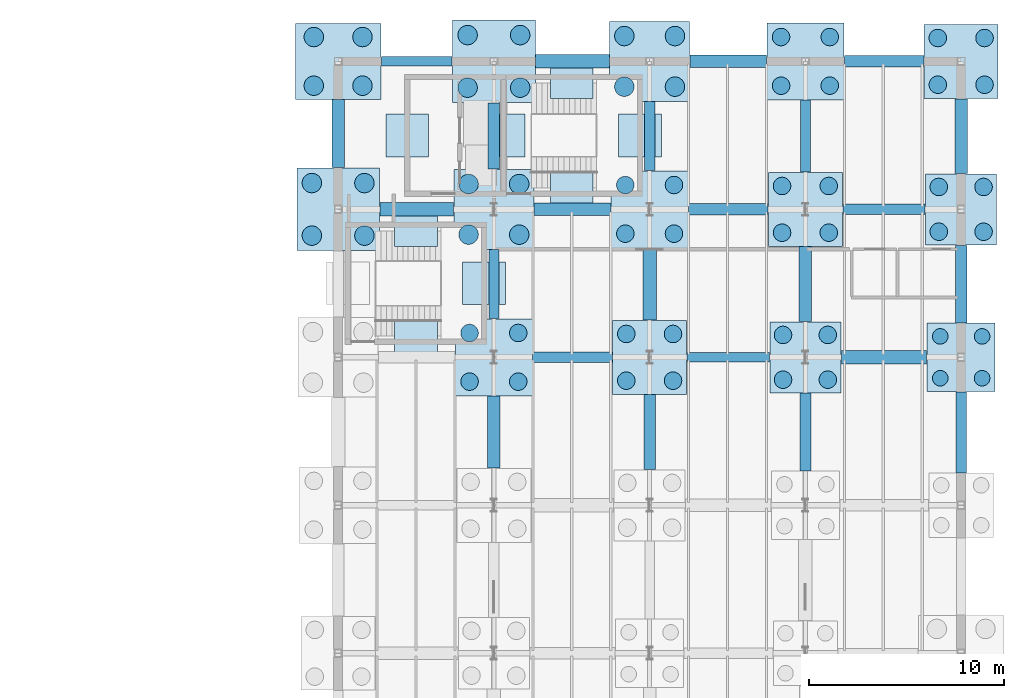
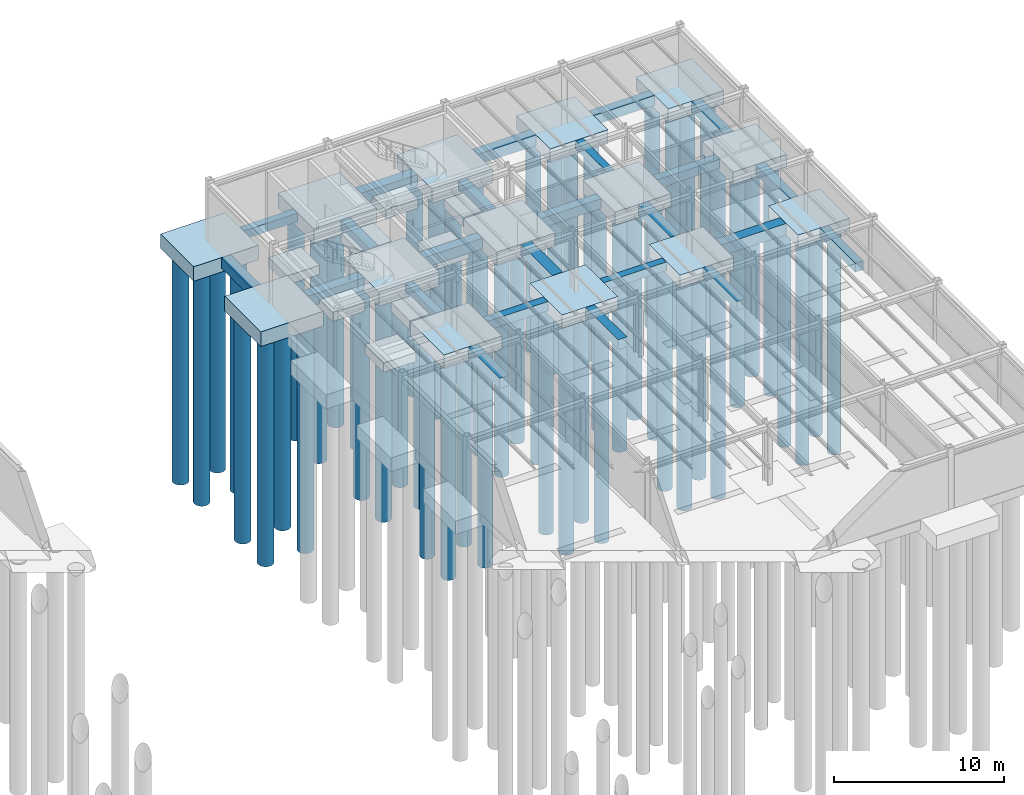
# One storey, part 9 of 33: 56 piles, 46 footings.
"""IFC4 building model written with IfcOpenShell, lengths in metres."""

from ifc_helpers import new_model, si_unit, direction, frame, origin, origin_2d, place, context, subcontext, project, spatial, rectangle, circle, extrude, material, material_profile, profile_set, type_object, element, save


model = new_model("IFC4")

# Units and contexts
model_context = context("Model", 3, precision=1e-05, world=origin(), true_north=direction((0.0, 1.0)))
body_context = subcontext(model_context, "Body", "Model", "MODEL_VIEW")
ifc_project = project(units=[si_unit("LENGTHUNIT", "METRE"), si_unit("AREAUNIT", "SQUARE_METRE"), si_unit("VOLUMEUNIT", "CUBIC_METRE"), si_unit("PLANEANGLEUNIT", "RADIAN"), si_unit("MASSUNIT", "GRAM", prefix="KILO")], contexts=[model_context])

# Site, building, storey
site_placement = place(None, origin())
site = spatial("IfcSite", under=ifc_project, at=site_placement, CompositionType="ELEMENT")
building_placement = place(site_placement, origin())
building = spatial("IfcBuilding", under=site, at=building_placement, Name="Montecoro Central Library", CompositionType="ELEMENT")
storey_placement = place(building_placement, frame((0.0, 0.0, -4.419921875)))
storey = spatial("IfcBuildingStorey", under=building, at=storey_placement, Name="B1", CompositionType="ELEMENT", Elevation=-4.419921875)

# Footings
ifc_material = material(Name="Concrete C35/45", Category="concrete")
footing_type_1 = type_object("IfcFootingType", Name="FT-PAD-220", PredefinedType="PAD_FOOTING", material=ifc_material)
for number, where, z_axis, x_axis, name in (
    (1, (153.0, 112.199951171875, -1.150146484375), (0.0, 0.0, 1.0), (1.0, 0.0, 0.0), "FT-WALL-C6-WS"),
    (2, (153.0, 118.199951171875, -1.150146484375), (0.0, 0.0, 1.0), (1.0, 0.0, 0.0), "FT-WALL-C6-WN"),
    (3, (149.5, 115.199951171875, -1.150146484375), (0.0, 0.0, 1.0), (1.0, 0.0, 0.0), "FT-WALL-C6-WW"),
    (4, (156.5, 115.199951171875, -1.150146484375), (0.0, 0.0, 1.0), (1.0, 0.0, 0.0), "FT-WALL-C6-WE"),
    (5, (144.550048828125, 115.199951171875, -1.150146484375), (0.0, 0.0, 1.0), (1.0, 0.0, 0.0), "FT-WALL-C6-LWW"),
    (6, (145.0, 104.60009765625, -1.150146484375), (0.0, 0.0, 1.0), (1.0, 0.0, 0.0), "FT-WALL-C8-WS"),
    (7, (145.0, 110.60009765625, -1.150146484375), (0.0, 0.0, 1.0), (1.0, 0.0, 0.0), "FT-WALL-C8-WN"),
    (8, (148.5, 107.60009765625, -1.150146484375), (0.0, 0.0, 1.0), (1.0, 0.0, 0.0), "FT-WALL-C8-WE"),
):
    element("IfcFooting", number, at=place(storey_placement, frame(where, z_axis=z_axis, x_axis=x_axis)), inside=storey, type_object=footing_type_1, Name=name, PredefinedType="PAD_FOOTING", context=body_context, shape_type="SweptSolid", body=[
        extrude(rectangle(XDim=2.199951171875, YDim=2.199951171875, at=origin_2d()), origin(), (0.0, 0.0, 1.0), 0.64990234375),
    ])
footing_type_2 = type_object("IfcFootingType", Name="FT-PC-350", PredefinedType="PILE_CAP", material=ifc_material)
footing_1_placement = place(storey_placement, frame((173.0, 103.800048828125, -0.880126953125), z_axis=(0.0, 0.0, 1.0), x_axis=(1.0, 0.0, 0.0)))
element("IfcFooting", 9, at=footing_1_placement, inside=storey, type_object=footing_type_2, Name="V5-CAP-22-P", PredefinedType="PILE_CAP", context=body_context, shape_type="SweptSolid", body=[
    extrude(rectangle(XDim=3.5, YDim=3.5, at=origin_2d()), origin(), (0.0, 0.0, 1.0), 0.8798828125),
])
footing_type_3 = type_object("IfcFootingType", Name="FT-PC-365", PredefinedType="PILE_CAP", material=ifc_material)
for number, where, z_axis, x_axis, name in (
    (10, (165.0, 103.800048828125, -0.900146484375), (0.0, 0.0, 1.0), (1.0, 0.0, 0.0), "V5-CAP-21-P"),
    (11, (173.0, 111.39990234375, -0.900146484375), (0.0, 0.0, 1.0), (1.0, 0.0, 0.0), "V5-CAP-22-Q"),
):
    element("IfcFooting", number, at=place(storey_placement, frame(where, z_axis=z_axis, x_axis=x_axis)), inside=storey, type_object=footing_type_3, Name=name, PredefinedType="PILE_CAP", context=body_context, shape_type="SweptSolid", body=[
        extrude(rectangle(XDim=3.64990234375, YDim=3.64990234375, at=origin_2d()), origin(), (0.0, 0.0, 1.0), 0.89990234375),
    ])
footing_type_4 = type_object("IfcFootingType", Name="FT-PC-380", PredefinedType="PILE_CAP", material=ifc_material)
for number, where, z_axis, x_axis, name in (
    (12, (157.0, 103.800048828125, -0.9501953125), (0.0, 0.0, 1.0), (1.0, 0.0, 0.0), "V5-CAP-20-P"),
    (13, (165.0, 111.39990234375, -0.9501953125), (0.0, 0.0, 1.0), (1.0, 0.0, 0.0), "V5-CAP-21-Q"),
    (14, (173.0, 119.0, -0.9501953125), (0.0, 0.0, 1.0), (1.0, 0.0, 0.0), "V5-CAP-22-R"),
):
    element("IfcFooting", number, at=place(storey_placement, frame(where, z_axis=z_axis, x_axis=x_axis)), inside=storey, type_object=footing_type_4, Name=name, PredefinedType="PILE_CAP", context=body_context, shape_type="SweptSolid", body=[
        extrude(rectangle(XDim=3.800048828125, YDim=3.800048828125, at=origin_2d()), origin(), (0.0, 0.0, 1.0), 0.949951171875),
    ])
footing_type_5 = type_object("IfcFootingType", Name="FT-PC-395", PredefinedType="PILE_CAP", material=ifc_material)
for number, where, z_axis, x_axis, name in (
    (15, (149.0, 103.800048828125, -0.97998046875), (0.0, 0.0, 1.0), (1.0, 0.0, 0.0), "V5-CAP-19-P"),
    (16, (157.0, 111.39990234375, -0.97998046875), (0.0, 0.0, 1.0), (1.0, 0.0, 0.0), "V5-CAP-20-Q"),
    (17, (165.0, 119.0, -0.97998046875), (0.0, 0.0, 1.0), (1.0, 0.0, 0.0), "V5-CAP-21-R"),
):
    element("IfcFooting", number, at=place(storey_placement, frame(where, z_axis=z_axis, x_axis=x_axis)), inside=storey, type_object=footing_type_5, Name=name, PredefinedType="PILE_CAP", context=body_context, shape_type="SweptSolid", body=[
        extrude(rectangle(XDim=3.949951171875, YDim=3.949951171875, at=origin_2d()), origin(), (0.0, 0.0, 1.0), 0.97998046875),
    ])
footing_type_6 = type_object("IfcFootingType", Name="FT-PC-410", PredefinedType="PILE_CAP", material=ifc_material)
for number, where, z_axis, x_axis, name in (
    (18, (149.0, 111.39990234375, -1.02001953125), (0.0, 0.0, 1.0), (1.0, 0.0, 0.0), "V5-CAP-19-Q"),
    (19, (157.0, 119.0, -1.02001953125), (0.0, 0.0, 1.0), (1.0, 0.0, 0.0), "V5-CAP-20-R"),
):
    element("IfcFooting", number, at=place(storey_placement, frame(where, z_axis=z_axis, x_axis=x_axis)), inside=storey, type_object=footing_type_6, Name=name, PredefinedType="PILE_CAP", context=body_context, shape_type="SweptSolid", body=[
        extrude(rectangle(XDim=4.10009765625, YDim=4.10009765625, at=origin_2d()), origin(), (0.0, 0.0, 1.0), 1.02001953125),
    ])
footing_type_7 = type_object("IfcFootingType", Name="FT-PC-425", PredefinedType="PILE_CAP", material=ifc_material)
for number, where, z_axis, x_axis, name in (
    (20, (141.0, 111.39990234375, -1.06005859375), (0.0, 0.0, 1.0), (1.0, 0.0, 0.0), "V5-CAP-18-Q"),
    (21, (149.0, 119.0, -1.06005859375), (0.0, 0.0, 1.0), (1.0, 0.0, 0.0), "V5-CAP-19-R"),
):
    element("IfcFooting", number, at=place(storey_placement, frame(where, z_axis=z_axis, x_axis=x_axis)), inside=storey, type_object=footing_type_7, Name=name, PredefinedType="PILE_CAP", context=body_context, shape_type="SweptSolid", body=[
        extrude(rectangle(XDim=4.25, YDim=4.25, at=origin_2d()), origin(), (0.0, 0.0, 1.0), 1.06005859375),
    ])
footing_type_8 = type_object("IfcFootingType", Name="FT-PC-440", PredefinedType="PILE_CAP", material=ifc_material)
footing_2_placement = place(storey_placement, frame((141.0, 119.0, -1.05029296875), z_axis=(0.0, 0.0, 1.0), x_axis=(1.0, 0.0, 0.0)))
element("IfcFooting", 22, at=footing_2_placement, inside=storey, type_object=footing_type_8, Name="V5-CAP-18-R", PredefinedType="PILE_CAP", context=body_context, shape_type="SweptSolid", body=[
    extrude(rectangle(XDim=4.39990234375, YDim=3.89990234375, at=origin_2d()), origin(), (0.0, 0.0, 1.0), 1.050048828125),
])
footing_type_9 = type_object("IfcFootingType", Name="FT-TB-01", PredefinedType="FOOTING_BEAM", material=ifc_material)
footing_3_placement = place(storey_placement, frame((145.037109375, 119.0, -0.60009765625), z_axis=(0.0, 0.0, 1.0), x_axis=(1.0, 0.0, 0.0)))
element("IfcFooting", 23, at=footing_3_placement, inside=storey, type_object=footing_type_9, Name="FT-TBX-145", PredefinedType="FOOTING_BEAM", context=body_context, shape_type="SweptSolid", body=[
    extrude(rectangle(XDim=3.635009765625, YDim=0.5, at=origin_2d()), origin(), (0.0, 0.0, 1.0), 0.60009765625),
])
footing_4_placement = place(storey_placement, frame((149.0, 107.56201171875, -0.60009765625), z_axis=(0.0, 0.0, 1.0), x_axis=(1.0, 0.0, 0.0)))
element("IfcFooting", 24, at=footing_4_placement, inside=storey, type_object=footing_type_9, Name="FT-TBY-165", PredefinedType="FOOTING_BEAM", context=body_context, shape_type="SweptSolid", body=[
    extrude(rectangle(XDim=0.5, YDim=3.534912109375, at=origin_2d()), origin(), (0.0, 0.0, 1.0), 0.60009765625),
])
footing_5_placement = place(storey_placement, frame((161.037109375, 103.800048828125, -0.60009765625), z_axis=(0.0, 0.0, 1.0), x_axis=(1.0, 0.0, 0.0)))
element("IfcFooting", 25, at=footing_5_placement, inside=storey, type_object=footing_type_9, Name="FT-TBX-190", PredefinedType="FOOTING_BEAM", context=body_context, shape_type="SweptSolid", body=[
    extrude(rectangle(XDim=4.235107421875, YDim=0.5, at=origin_2d()), origin(), (0.0, 0.0, 1.0), 0.60009765625),
])
footing_6_placement = place(storey_placement, frame((165.0, 115.162109375, -0.60009765625), z_axis=(0.0, 0.0, 1.0), x_axis=(1.0, 0.0, 0.0)))
element("IfcFooting", 26, at=footing_6_placement, inside=storey, type_object=footing_type_9, Name="FT-TBY-215", PredefinedType="FOOTING_BEAM", context=body_context, shape_type="SweptSolid", body=[
    extrude(rectangle(XDim=0.5, YDim=3.68505859375, at=origin_2d()), origin(), (0.0, 0.0, 1.0), 0.60009765625),
])
footing_type_10 = type_object("IfcFootingType", Name="FT-TB-02", PredefinedType="FOOTING_BEAM", material=ifc_material)
footing_7_placement = place(storey_placement, frame((153.0380859375, 103.800048828125, -0.650146484375), z_axis=(0.0, 0.0, 1.0), x_axis=(1.0, 0.0, 0.0)))
element("IfcFooting", 27, at=footing_7_placement, inside=storey, type_object=footing_type_10, Name="FT-TBX-166", PredefinedType="FOOTING_BEAM", context=body_context, shape_type="SweptSolid", body=[
    extrude(rectangle(XDim=4.0849609375, YDim=0.550048828125, at=origin_2d()), origin(), (0.0, 0.0, 1.0), 0.64990234375),
])
footing_8_placement = place(storey_placement, frame((157.0, 115.162109375, -0.650146484375), z_axis=(0.0, 0.0, 1.0), x_axis=(1.0, 0.0, 0.0)))
element("IfcFooting", 28, at=footing_8_placement, inside=storey, type_object=footing_type_10, Name="FT-TBY-191", PredefinedType="FOOTING_BEAM", context=body_context, shape_type="SweptSolid", body=[
    extrude(rectangle(XDim=0.550048828125, YDim=3.534912109375, at=origin_2d()), origin(), (0.0, 0.0, 1.0), 0.64990234375),
])
footing_9_placement = place(storey_placement, frame((165.0, 99.962890625, -0.650146484375), z_axis=(0.0, 0.0, 1.0), x_axis=(1.0, 0.0, 0.0)))
element("IfcFooting", 29, at=footing_9_placement, inside=storey, type_object=footing_type_10, Name="FT-TBY-211", PredefinedType="FOOTING_BEAM", context=body_context, shape_type="SweptSolid", body=[
    extrude(rectangle(XDim=0.550048828125, YDim=3.985107421875, at=origin_2d()), origin(), (0.0, 0.0, 1.0), 0.64990234375),
])
footing_10_placement = place(storey_placement, frame((169.037109375, 111.39990234375, -0.650146484375), z_axis=(0.0, 0.0, 1.0), x_axis=(1.0, 0.0, 0.0)))
element("IfcFooting", 30, at=footing_10_placement, inside=storey, type_object=footing_type_10, Name="FT-TBX-216", PredefinedType="FOOTING_BEAM", context=body_context, shape_type="SweptSolid", body=[
    extrude(rectangle(XDim=4.235107421875, YDim=0.550048828125, at=origin_2d()), origin(), (0.0, 0.0, 1.0), 0.64990234375),
])
footing_11_placement = place(storey_placement, frame((173.0, 99.949951171875, -0.650146484375), z_axis=(0.0, 0.0, 1.0), x_axis=(1.0, 0.0, 0.0)))
element("IfcFooting", 31, at=footing_11_placement, inside=storey, type_object=footing_type_10, Name="FT-TBY-226", PredefinedType="FOOTING_BEAM", context=body_context, shape_type="SweptSolid", body=[
    extrude(rectangle(XDim=0.550048828125, YDim=4.159912109375, at=origin_2d()), origin(), (0.0, 0.0, 1.0), 0.64990234375),
])
footing_type_11 = type_object("IfcFootingType", Name="FT-TB-03", PredefinedType="FOOTING_BEAM", material=ifc_material)
footing_12_placement = place(storey_placement, frame((149.0, 115.162109375, -0.7001953125), z_axis=(0.0, 0.0, 1.0), x_axis=(1.0, 0.0, 0.0)))
element("IfcFooting", 32, at=footing_12_placement, inside=storey, type_object=footing_type_11, Name="FT-TBY-167", PredefinedType="FOOTING_BEAM", context=body_context, shape_type="SweptSolid", body=[
    extrude(rectangle(XDim=0.60009765625, YDim=3.385009765625, at=origin_2d()), origin(), (0.0, 0.0, 1.0), 0.699951171875),
])
footing_13_placement = place(storey_placement, frame((157.0, 99.962890625, -0.7001953125), z_axis=(0.0, 0.0, 1.0), x_axis=(1.0, 0.0, 0.0)))
element("IfcFooting", 33, at=footing_13_placement, inside=storey, type_object=footing_type_11, Name="FT-TBY-187", PredefinedType="FOOTING_BEAM", context=body_context, shape_type="SweptSolid", body=[
    extrude(rectangle(XDim=0.60009765625, YDim=3.8349609375, at=origin_2d()), origin(), (0.0, 0.0, 1.0), 0.699951171875),
])
for number, where, z_axis, x_axis, name in (
    (34, (161.0380859375, 111.39990234375, -0.7001953125), (0.0, 0.0, 1.0), (1.0, 0.0, 0.0), "FT-TBX-192"),
    (35, (169.0380859375, 119.0, -0.7001953125), (0.0, 0.0, 1.0), (1.0, 0.0, 0.0), "FT-TBX-217"),
):
    element("IfcFooting", number, at=place(storey_placement, frame(where, z_axis=z_axis, x_axis=x_axis)), inside=storey, type_object=footing_type_11, Name=name, PredefinedType="FOOTING_BEAM", context=body_context, shape_type="SweptSolid", body=[
        extrude(rectangle(XDim=4.0849609375, YDim=0.60009765625, at=origin_2d()), origin(), (0.0, 0.0, 1.0), 0.699951171875),
    ])
footing_14_placement = place(storey_placement, frame((173.0, 107.56201171875, -0.7001953125), z_axis=(0.0, 0.0, 1.0), x_axis=(1.0, 0.0, 0.0)))
element("IfcFooting", 36, at=footing_14_placement, inside=storey, type_object=footing_type_11, Name="FT-TBY-227", PredefinedType="FOOTING_BEAM", context=body_context, shape_type="SweptSolid", body=[
    extrude(rectangle(XDim=0.60009765625, YDim=3.985107421875, at=origin_2d()), origin(), (0.0, 0.0, 1.0), 0.699951171875),
])
footing_type_12 = type_object("IfcFootingType", Name="FT-TB-04", PredefinedType="FOOTING_BEAM", material=ifc_material)
footing_15_placement = place(storey_placement, frame((141.0, 115.287109375, -0.75), z_axis=(0.0, 0.0, 1.0), x_axis=(1.0, 0.0, 0.0)))
element("IfcFooting", 37, at=footing_15_placement, inside=storey, type_object=footing_type_12, Name="FT-TBY-143", PredefinedType="FOOTING_BEAM", context=body_context, shape_type="SweptSolid", body=[
    extrude(rectangle(XDim=0.64990234375, YDim=3.485107421875, at=origin_2d()), origin(), (0.0, 0.0, 1.0), 0.75),
])
footing_16_placement = place(storey_placement, frame((149.0, 99.962890625, -0.75), z_axis=(0.0, 0.0, 1.0), x_axis=(1.0, 0.0, 0.0)))
element("IfcFooting", 38, at=footing_16_placement, inside=storey, type_object=footing_type_12, Name="FT-TBY-163", PredefinedType="FOOTING_BEAM", context=body_context, shape_type="SweptSolid", body=[
    extrude(rectangle(XDim=0.64990234375, YDim=3.68505859375, at=origin_2d()), origin(), (0.0, 0.0, 1.0), 0.75),
])
for number, where, z_axis, x_axis, name in (
    (39, (153.037109375, 111.39990234375, -0.75), (0.0, 0.0, 1.0), (1.0, 0.0, 0.0), "FT-TBX-168"),
    (40, (161.037109375, 119.0, -0.75), (0.0, 0.0, 1.0), (1.0, 0.0, 0.0), "FT-TBX-193"),
):
    element("IfcFooting", number, at=place(storey_placement, frame(where, z_axis=z_axis, x_axis=x_axis)), inside=storey, type_object=footing_type_12, Name=name, PredefinedType="FOOTING_BEAM", context=body_context, shape_type="SweptSolid", body=[
        extrude(rectangle(XDim=3.93505859375, YDim=0.64990234375, at=origin_2d()), origin(), (0.0, 0.0, 1.0), 0.75),
    ])
for number, where, z_axis, x_axis, name in (
    (41, (165.0, 107.56201171875, -0.75), (0.0, 0.0, 1.0), (1.0, 0.0, 0.0), "FT-TBY-213"),
    (42, (173.0, 115.162109375, -0.75), (0.0, 0.0, 1.0), (1.0, 0.0, 0.0), "FT-TBY-228"),
):
    element("IfcFooting", number, at=place(storey_placement, frame(where, z_axis=z_axis, x_axis=x_axis)), inside=storey, type_object=footing_type_12, Name=name, PredefinedType="FOOTING_BEAM", context=body_context, shape_type="SweptSolid", body=[
        extrude(rectangle(XDim=0.64990234375, YDim=3.8349609375, at=origin_2d()), origin(), (0.0, 0.0, 1.0), 0.75),
    ])
footing_type_13 = type_object("IfcFootingType", Name="FT-TB-05", PredefinedType="FOOTING_BEAM", material=ifc_material)
for number, where, z_axis, x_axis, name in (
    (43, (145.0380859375, 111.39990234375, -0.80029296875), (0.0, 0.0, 1.0), (1.0, 0.0, 0.0), "FT-TBX-144"),
    (44, (153.0380859375, 119.0, -0.80029296875), (0.0, 0.0, 1.0), (1.0, 0.0, 0.0), "FT-TBX-169"),
):
    element("IfcFooting", number, at=place(storey_placement, frame(where, z_axis=z_axis, x_axis=x_axis)), inside=storey, type_object=footing_type_13, Name=name, PredefinedType="FOOTING_BEAM", context=body_context, shape_type="SweptSolid", body=[
        extrude(rectangle(XDim=3.784912109375, YDim=0.699951171875, at=origin_2d()), origin(), (0.0, 0.0, 1.0), 0.800048828125),
    ])
footing_17_placement = place(storey_placement, frame((157.0, 107.56201171875, -0.80029296875), z_axis=(0.0, 0.0, 1.0), x_axis=(1.0, 0.0, 0.0)))
element("IfcFooting", 45, at=footing_17_placement, inside=storey, type_object=footing_type_13, Name="FT-TBY-189", PredefinedType="FOOTING_BEAM", context=body_context, shape_type="SweptSolid", body=[
    extrude(rectangle(XDim=0.699951171875, YDim=3.68505859375, at=origin_2d()), origin(), (0.0, 0.0, 1.0), 0.800048828125),
])
footing_18_placement = place(storey_placement, frame((169.037109375, 103.800048828125, -0.80029296875), z_axis=(0.0, 0.0, 1.0), x_axis=(1.0, 0.0, 0.0)))
element("IfcFooting", 46, at=footing_18_placement, inside=storey, type_object=footing_type_13, Name="FT-TBX-214", PredefinedType="FOOTING_BEAM", context=body_context, shape_type="SweptSolid", body=[
    extrude(rectangle(XDim=4.385009765625, YDim=0.699951171875, at=origin_2d()), origin(), (0.0, 0.0, 1.0), 0.800048828125),
])

# Piles
ifc_material_profile_1 = material_profile(ifc_material, circle(Radius=0.5, at=origin_2d()), Name="PILE D1000")
ifc_profile_set_1 = profile_set([ifc_material_profile_1], Name="Concrete C35/45")
pile_type_1 = type_object("IfcPileType", Name="PL-BORED-1000", PredefinedType="BORED", material=ifc_profile_set_1)
for number, where, z_axis, x_axis, name in (
    (47, (139.64990234375, 110.050048828125, -0.9599609375), (0.0, 0.0, -1.0), (1.0, 0.0, 0.0), "V5-CAP-18-Q-P1"),
    (48, (139.64990234375, 112.75, -0.9599609375), (0.0, 0.0, -1.0), (1.0, 0.0, 0.0), "V5-CAP-18-Q-P2"),
    (49, (142.35009765625, 110.050048828125, -0.9599609375), (0.0, 0.0, -1.0), (1.0, 0.0, 0.0), "V5-CAP-18-Q-P3"),
    (50, (142.35009765625, 112.75, -0.9599609375), (0.0, 0.0, -1.0), (1.0, 0.0, 0.0), "V5-CAP-18-Q-P4"),
):
    element("IfcPile", number, at=place(storey_placement, frame(where, z_axis=z_axis, x_axis=x_axis)), inside=storey, type_object=pile_type_1, Name=name, PredefinedType="BORED", context=body_context, shape_type="SweptSolid", body=[
        extrude(circle(Radius=0.5, at=origin_2d()), origin(), (0.0, 0.0, 1.0), 16.320068359375),
    ])
for number, where, z_axis, x_axis, name in (
    (51, (139.75, 117.75, -0.9501953125), (0.0, 0.0, -1.0), (1.0, 0.0, 0.0), "V5-CAP-18-R-P1"),
    (52, (139.75, 120.25, -0.9501953125), (0.0, 0.0, -1.0), (1.0, 0.0, 0.0), "V5-CAP-18-R-P2"),
    (53, (142.25, 117.75, -0.9501953125), (0.0, 0.0, -1.0), (1.0, 0.0, 0.0), "V5-CAP-18-R-P3"),
    (54, (142.25, 120.25, -0.9501953125), (0.0, 0.0, -1.0), (1.0, 0.0, 0.0), "V5-CAP-18-R-P4"),
):
    element("IfcPile", number, at=place(storey_placement, frame(where, z_axis=z_axis, x_axis=x_axis)), inside=storey, type_object=pile_type_1, Name=name, PredefinedType="BORED", context=body_context, shape_type="SweptSolid", body=[
        extrude(circle(Radius=0.5, at=origin_2d()), origin(), (0.0, 0.0, 1.0), 16.679931640625),
    ])
for number, where, z_axis, x_axis, name in (
    (55, (147.699951171875, 110.10009765625, -0.920166015625), (0.0, 0.0, -1.0), (1.0, 0.0, 0.0), "V5-CAP-19-Q-P1"),
    (56, (147.699951171875, 112.699951171875, -0.920166015625), (0.0, 0.0, -1.0), (1.0, 0.0, 0.0), "V5-CAP-19-Q-P2"),
    (57, (150.300048828125, 110.10009765625, -0.920166015625), (0.0, 0.0, -1.0), (1.0, 0.0, 0.0), "V5-CAP-19-Q-P3"),
    (58, (150.300048828125, 112.699951171875, -0.920166015625), (0.0, 0.0, -1.0), (1.0, 0.0, 0.0), "V5-CAP-19-Q-P4"),
):
    element("IfcPile", number, at=place(storey_placement, frame(where, z_axis=z_axis, x_axis=x_axis)), inside=storey, type_object=pile_type_1, Name=name, PredefinedType="BORED", context=body_context, shape_type="SweptSolid", body=[
        extrude(circle(Radius=0.5, at=origin_2d()), origin(), (0.0, 0.0, 1.0), 16.010009765625),
    ])
for number, where, z_axis, x_axis, name in (
    (59, (147.64990234375, 117.64990234375, -0.9599609375), (0.0, 0.0, -1.0), (1.0, 0.0, 0.0), "V5-CAP-19-R-P1"),
    (60, (147.64990234375, 120.35009765625, -0.9599609375), (0.0, 0.0, -1.0), (1.0, 0.0, 0.0), "V5-CAP-19-R-P2"),
    (61, (150.35009765625, 117.64990234375, -0.9599609375), (0.0, 0.0, -1.0), (1.0, 0.0, 0.0), "V5-CAP-19-R-P3"),
    (62, (150.35009765625, 120.35009765625, -0.9599609375), (0.0, 0.0, -1.0), (1.0, 0.0, 0.0), "V5-CAP-19-R-P4"),
):
    element("IfcPile", number, at=place(storey_placement, frame(where, z_axis=z_axis, x_axis=x_axis)), inside=storey, type_object=pile_type_1, Name=name, PredefinedType="BORED", context=body_context, shape_type="SweptSolid", body=[
        extrude(circle(Radius=0.5, at=origin_2d()), origin(), (0.0, 0.0, 1.0), 16.320068359375),
    ])
for number, where, z_axis, x_axis, name in (
    (63, (155.699951171875, 117.699951171875, -0.920166015625), (0.0, 0.0, -1.0), (1.0, 0.0, 0.0), "V5-CAP-20-R-P1"),
    (64, (155.699951171875, 120.300048828125, -0.920166015625), (0.0, 0.0, -1.0), (1.0, 0.0, 0.0), "V5-CAP-20-R-P2"),
    (65, (158.300048828125, 117.699951171875, -0.920166015625), (0.0, 0.0, -1.0), (1.0, 0.0, 0.0), "V5-CAP-20-R-P3"),
    (66, (158.300048828125, 120.300048828125, -0.920166015625), (0.0, 0.0, -1.0), (1.0, 0.0, 0.0), "V5-CAP-20-R-P4"),
):
    element("IfcPile", number, at=place(storey_placement, frame(where, z_axis=z_axis, x_axis=x_axis)), inside=storey, type_object=pile_type_1, Name=name, PredefinedType="BORED", context=body_context, shape_type="SweptSolid", body=[
        extrude(circle(Radius=0.5, at=origin_2d()), origin(), (0.0, 0.0, 1.0), 16.010009765625),
    ])
ifc_material_profile_2 = material_profile(ifc_material, circle(Radius=0.39990234375, at=origin_2d()), Name="PILE D800")
ifc_profile_set_2 = profile_set([ifc_material_profile_2], Name="Concrete C35/45")
pile_type_2 = type_object("IfcPileType", Name="PL-BORED-800", PredefinedType="BORED", material=ifc_profile_set_2)
for number, where, z_axis, x_axis, name in (
    (67, (171.925048828125, 102.72509765625, -0.780029296875), (0.0, 0.0, -1.0), (1.0, 0.0, 0.0), "V5-CAP-22-P-P1"),
    (68, (171.925048828125, 104.875, -0.780029296875), (0.0, 0.0, -1.0), (1.0, 0.0, 0.0), "V5-CAP-22-P-P2"),
    (69, (174.074951171875, 102.72509765625, -0.780029296875), (0.0, 0.0, -1.0), (1.0, 0.0, 0.0), "V5-CAP-22-P-P3"),
    (70, (174.074951171875, 104.875, -0.780029296875), (0.0, 0.0, -1.0), (1.0, 0.0, 0.0), "V5-CAP-22-P-P4"),
):
    element("IfcPile", number, at=place(storey_placement, frame(where, z_axis=z_axis, x_axis=x_axis)), inside=storey, type_object=pile_type_2, Name=name, PredefinedType="BORED", context=body_context, shape_type="SweptSolid", body=[
        extrude(circle(Radius=0.39990234375, at=origin_2d()), origin(), (0.0, 0.0, 1.0), 16.14990234375),
    ])
ifc_material_profile_3 = material_profile(ifc_material, circle(Radius=0.449951171875, at=origin_2d()), Name="PILE D900")
ifc_profile_set_3 = profile_set([ifc_material_profile_3], Name="Concrete C35/45")
pile_type_3 = type_object("IfcPileType", Name="PL-BORED-900", PredefinedType="BORED", material=ifc_profile_set_3)
for number, where, z_axis, x_axis, name in (
    (71, (147.75, 102.550048828125, -0.880126953125), (0.0, 0.0, -1.0), (1.0, 0.0, 0.0), "V5-CAP-19-P-P1"),
    (72, (147.75, 105.050048828125, -0.880126953125), (0.0, 0.0, -1.0), (1.0, 0.0, 0.0), "V5-CAP-19-P-P2"),
    (73, (150.25, 102.550048828125, -0.880126953125), (0.0, 0.0, -1.0), (1.0, 0.0, 0.0), "V5-CAP-19-P-P3"),
    (74, (150.25, 105.050048828125, -0.880126953125), (0.0, 0.0, -1.0), (1.0, 0.0, 0.0), "V5-CAP-19-P-P4"),
):
    element("IfcPile", number, at=place(storey_placement, frame(where, z_axis=z_axis, x_axis=x_axis)), inside=storey, type_object=pile_type_3, Name=name, PredefinedType="BORED", context=body_context, shape_type="SweptSolid", body=[
        extrude(circle(Radius=0.449951171875, at=origin_2d()), origin(), (0.0, 0.0, 1.0), 15.699951171875),
    ])
for number, where, z_axis, x_axis, name in (
    (75, (155.800048828125, 102.60009765625, -0.85009765625), (0.0, 0.0, -1.0), (1.0, 0.0, 0.0), "V5-CAP-20-P-P1"),
    (76, (155.800048828125, 105.0, -0.85009765625), (0.0, 0.0, -1.0), (1.0, 0.0, 0.0), "V5-CAP-20-P-P2"),
    (77, (158.199951171875, 102.60009765625, -0.85009765625), (0.0, 0.0, -1.0), (1.0, 0.0, 0.0), "V5-CAP-20-P-P3"),
    (78, (158.199951171875, 105.0, -0.85009765625), (0.0, 0.0, -1.0), (1.0, 0.0, 0.0), "V5-CAP-20-P-P4"),
):
    element("IfcPile", number, at=place(storey_placement, frame(where, z_axis=z_axis, x_axis=x_axis)), inside=storey, type_object=pile_type_3, Name=name, PredefinedType="BORED", context=body_context, shape_type="SweptSolid", body=[
        extrude(circle(Radius=0.449951171875, at=origin_2d()), origin(), (0.0, 0.0, 1.0), 16.780029296875),
    ])
for number, where, z_axis, x_axis, name in (
    (79, (155.75, 110.14990234375, -0.880126953125), (0.0, 0.0, -1.0), (1.0, 0.0, 0.0), "V5-CAP-20-Q-P1"),
    (80, (155.75, 112.64990234375, -0.880126953125), (0.0, 0.0, -1.0), (1.0, 0.0, 0.0), "V5-CAP-20-Q-P2"),
    (81, (158.25, 110.14990234375, -0.880126953125), (0.0, 0.0, -1.0), (1.0, 0.0, 0.0), "V5-CAP-20-Q-P3"),
    (82, (158.25, 112.64990234375, -0.880126953125), (0.0, 0.0, -1.0), (1.0, 0.0, 0.0), "V5-CAP-20-Q-P4"),
):
    element("IfcPile", number, at=place(storey_placement, frame(where, z_axis=z_axis, x_axis=x_axis)), inside=storey, type_object=pile_type_3, Name=name, PredefinedType="BORED", context=body_context, shape_type="SweptSolid", body=[
        extrude(circle(Radius=0.449951171875, at=origin_2d()), origin(), (0.0, 0.0, 1.0), 15.699951171875),
    ])
for number, where, z_axis, x_axis, name in (
    (83, (163.85009765625, 102.64990234375, -0.800048828125), (0.0, 0.0, -1.0), (1.0, 0.0, 0.0), "V5-CAP-21-P-P1"),
    (84, (163.85009765625, 104.949951171875, -0.800048828125), (0.0, 0.0, -1.0), (1.0, 0.0, 0.0), "V5-CAP-21-P-P2"),
    (85, (166.14990234375, 102.64990234375, -0.800048828125), (0.0, 0.0, -1.0), (1.0, 0.0, 0.0), "V5-CAP-21-P-P3"),
    (86, (166.14990234375, 104.949951171875, -0.800048828125), (0.0, 0.0, -1.0), (1.0, 0.0, 0.0), "V5-CAP-21-P-P4"),
):
    element("IfcPile", number, at=place(storey_placement, frame(where, z_axis=z_axis, x_axis=x_axis)), inside=storey, type_object=pile_type_3, Name=name, PredefinedType="BORED", context=body_context, shape_type="SweptSolid", body=[
        extrude(circle(Radius=0.449951171875, at=origin_2d()), origin(), (0.0, 0.0, 1.0), 16.47998046875),
    ])
for number, where, z_axis, x_axis, name in (
    (87, (163.800048828125, 110.199951171875, -0.85009765625), (0.0, 0.0, -1.0), (1.0, 0.0, 0.0), "V5-CAP-21-Q-P1"),
    (88, (163.800048828125, 112.60009765625, -0.85009765625), (0.0, 0.0, -1.0), (1.0, 0.0, 0.0), "V5-CAP-21-Q-P2"),
    (89, (166.199951171875, 110.199951171875, -0.85009765625), (0.0, 0.0, -1.0), (1.0, 0.0, 0.0), "V5-CAP-21-Q-P3"),
    (90, (166.199951171875, 112.60009765625, -0.85009765625), (0.0, 0.0, -1.0), (1.0, 0.0, 0.0), "V5-CAP-21-Q-P4"),
):
    element("IfcPile", number, at=place(storey_placement, frame(where, z_axis=z_axis, x_axis=x_axis)), inside=storey, type_object=pile_type_3, Name=name, PredefinedType="BORED", context=body_context, shape_type="SweptSolid", body=[
        extrude(circle(Radius=0.449951171875, at=origin_2d()), origin(), (0.0, 0.0, 1.0), 16.780029296875),
    ])
for number, where, z_axis, x_axis, name in (
    (91, (163.75, 117.75, -0.880126953125), (0.0, 0.0, -1.0), (1.0, 0.0, 0.0), "V5-CAP-21-R-P1"),
    (92, (163.75, 120.25, -0.880126953125), (0.0, 0.0, -1.0), (1.0, 0.0, 0.0), "V5-CAP-21-R-P2"),
    (93, (166.25, 117.75, -0.880126953125), (0.0, 0.0, -1.0), (1.0, 0.0, 0.0), "V5-CAP-21-R-P3"),
    (94, (166.25, 120.25, -0.880126953125), (0.0, 0.0, -1.0), (1.0, 0.0, 0.0), "V5-CAP-21-R-P4"),
):
    element("IfcPile", number, at=place(storey_placement, frame(where, z_axis=z_axis, x_axis=x_axis)), inside=storey, type_object=pile_type_3, Name=name, PredefinedType="BORED", context=body_context, shape_type="SweptSolid", body=[
        extrude(circle(Radius=0.449951171875, at=origin_2d()), origin(), (0.0, 0.0, 1.0), 15.699951171875),
    ])
for number, where, z_axis, x_axis, name in (
    (95, (171.85009765625, 110.25, -0.800048828125), (0.0, 0.0, -1.0), (1.0, 0.0, 0.0), "V5-CAP-22-Q-P1"),
    (96, (171.85009765625, 112.550048828125, -0.800048828125), (0.0, 0.0, -1.0), (1.0, 0.0, 0.0), "V5-CAP-22-Q-P2"),
    (97, (174.14990234375, 110.25, -0.800048828125), (0.0, 0.0, -1.0), (1.0, 0.0, 0.0), "V5-CAP-22-Q-P3"),
    (98, (174.14990234375, 112.550048828125, -0.800048828125), (0.0, 0.0, -1.0), (1.0, 0.0, 0.0), "V5-CAP-22-Q-P4"),
):
    element("IfcPile", number, at=place(storey_placement, frame(where, z_axis=z_axis, x_axis=x_axis)), inside=storey, type_object=pile_type_3, Name=name, PredefinedType="BORED", context=body_context, shape_type="SweptSolid", body=[
        extrude(circle(Radius=0.449951171875, at=origin_2d()), origin(), (0.0, 0.0, 1.0), 16.47998046875),
    ])
for number, where, z_axis, x_axis, name in (
    (99, (171.800048828125, 117.800048828125, -0.85009765625), (0.0, 0.0, -1.0), (1.0, 0.0, 0.0), "V5-CAP-22-R-P1"),
    (100, (171.800048828125, 120.199951171875, -0.85009765625), (0.0, 0.0, -1.0), (1.0, 0.0, 0.0), "V5-CAP-22-R-P2"),
    (101, (174.199951171875, 117.800048828125, -0.85009765625), (0.0, 0.0, -1.0), (1.0, 0.0, 0.0), "V5-CAP-22-R-P3"),
    (102, (174.199951171875, 120.199951171875, -0.85009765625), (0.0, 0.0, -1.0), (1.0, 0.0, 0.0), "V5-CAP-22-R-P4"),
):
    element("IfcPile", number, at=place(storey_placement, frame(where, z_axis=z_axis, x_axis=x_axis)), inside=storey, type_object=pile_type_3, Name=name, PredefinedType="BORED", context=body_context, shape_type="SweptSolid", body=[
        extrude(circle(Radius=0.449951171875, at=origin_2d()), origin(), (0.0, 0.0, 1.0), 16.780029296875),
    ])

save(model, "model.ifc")
